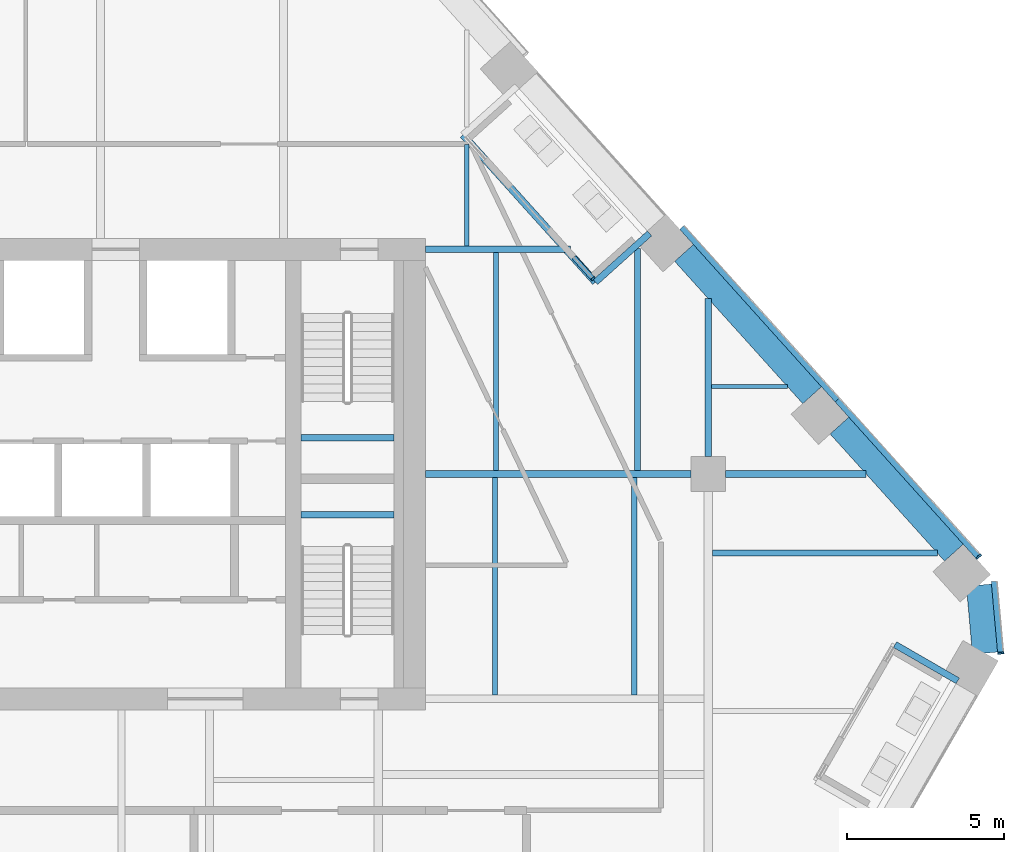
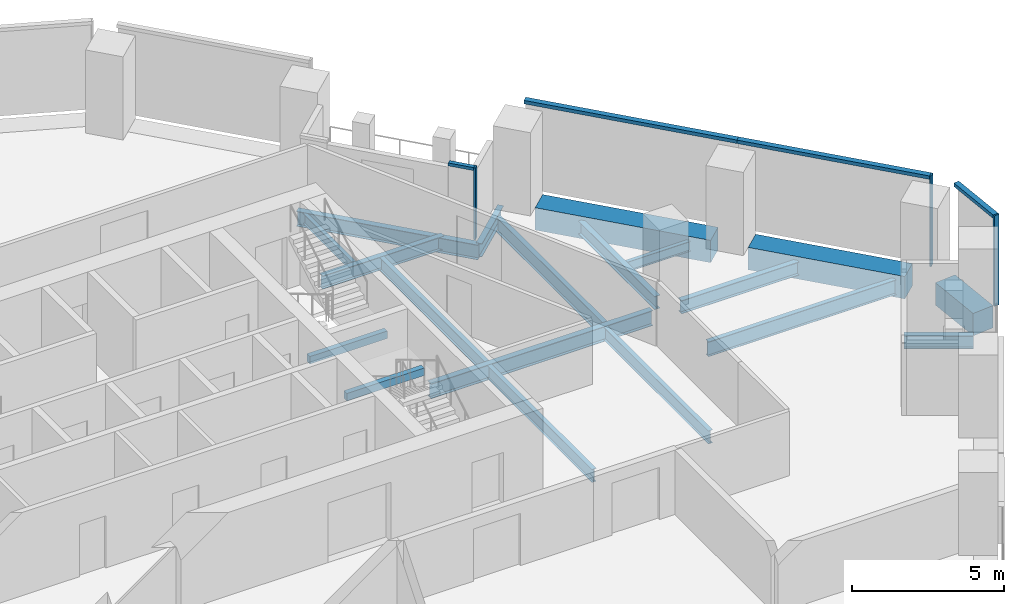
# One storey, part 10 of 26: 19 beams, 7 members, 3 elements without a shape of their own.
"""IFC4 building model written with IfcOpenShell, lengths in metres."""

from ifc_helpers import new_model, si_unit, direction, frame, origin, origin_2d, place, context, subcontext, project, spatial, rectangle, i_section, extrude, material, layer, layer_set, material_profile, profile_set, type_object, element, aggregate, save


model = new_model("IFC4")

# Units and contexts
model_context = context("Model", 3, precision=1e-05, world=origin(), true_north=direction((0.0, 1.0)))
body_context = subcontext(model_context, "Body", "Model", "MODEL_VIEW")
ifc_project = project(units=[si_unit("LENGTHUNIT", "METRE"), si_unit("AREAUNIT", "SQUARE_METRE"), si_unit("VOLUMEUNIT", "CUBIC_METRE"), si_unit("PLANEANGLEUNIT", "RADIAN"), si_unit("MASSUNIT", "GRAM", prefix="KILO")], contexts=[model_context])

# Site, building, storey
site_placement = place(None, origin())
site = spatial("IfcSite", under=ifc_project, at=site_placement, CompositionType="ELEMENT")
building_placement = place(site_placement, origin())
building = spatial("IfcBuilding", under=site, at=building_placement, Name="Isthmus Gate Tower", CompositionType="ELEMENT")
storey_placement = place(building_placement, frame((0.0, 0.0, 203.64990234375)))
storey = spatial("IfcBuildingStorey", under=building, at=storey_placement, Name="L51", CompositionType="ELEMENT", Elevation=203.64990234375)

# Curtain wall, member
ifc_material_1 = material(Name="Aluminium, pale champagne anodised", Category="aluminium")
ifc_layer_1 = layer(ifc_material_1, 0.199951171875)
ifc_layer_set_1 = layer_set([ifc_layer_1], Name="CW-1 UNITISED CURTAIN WALL 200 DEEP")
curtain_wall_type_1 = type_object("IfcCurtainWallType", Name="CW-1 UNITISED CURTAIN WALL 200 DEEP", PredefinedType="NOTDEFINED", material=ifc_layer_set_1)
curtain_wall_1_placement = place(storey_placement, origin())
curtain_wall_1 = element("IfcCurtainWall", 1, at=curtain_wall_1_placement, inside=storey, type_object=curtain_wall_type_1, Name="CW-1 SE-NE L51", PredefinedType="NOTDEFINED")
ifc_material_2 = material(Name="Aluminium, pale champagne anodised", Category="aluminium")
ifc_material_profile_1 = material_profile(ifc_material_2, rectangle(XDim=0.06005859375, YDim=0.199951171875, at=origin_2d()), Name="60x200")
ifc_profile_set_1 = profile_set([ifc_material_profile_1], Name="Aluminium, pale champagne anodised")
member_type_1 = type_object("IfcMemberType", Name="CW-1 MULLION 60 X 200", PredefinedType="MULLION", material=ifc_profile_set_1)
member_1_placement = place(storey_placement, frame((33.307861328125, 1.804443359375, 0.0), z_axis=(0.0, 0.0, 1.0), x_axis=(-0.089396669717, 0.995996102123, 0.0)))
member_1 = element("IfcMember", 2, at=member_1_placement, type_object=member_type_1, Name="CW-1 mullion", PredefinedType="MULLION", context=body_context, shape_type="SweptSolid", body=[
    extrude(rectangle(XDim=0.06005859375, YDim=0.199951171875, at=origin_2d()), origin(), (0.0, 0.0, 1.0), 3.650146484375),
])

curtain_wall_2_placement = place(storey_placement, origin())
curtain_wall_2 = element("IfcCurtainWall", 3, at=curtain_wall_2_placement, inside=storey, type_object=curtain_wall_type_1, Name="CW-1 NE L51", PredefinedType="NOTDEFINED")
member_2_placement = place(storey_placement, frame((32.602783203125, 4.871337890625, 0.0), z_axis=(0.0, 0.0, 1.0), x_axis=(-0.669130606359, 0.743144825477, 0.0)))
member_2 = element("IfcMember", 4, at=member_2_placement, type_object=member_type_1, Name="CW-1 mullion", PredefinedType="MULLION", context=body_context, shape_type="SweptSolid", body=[
    extrude(rectangle(XDim=0.06005859375, YDim=0.199951171875, at=origin_2d()), origin(), (0.0, 0.0, 1.0), 3.650146484375),
])

# Member
ifc_material_3 = material(Name="Aluminium, pale champagne anodised", Category="aluminium")
ifc_material_profile_2 = material_profile(ifc_material_3, rectangle(XDim=0.199951171875, YDim=0.139892578125, at=origin_2d()), Name="200x140")
ifc_profile_set_2 = profile_set([ifc_material_profile_2], Name="Aluminium, pale champagne anodised")
member_type_2 = type_object("IfcMemberType", Name="CW-1 TRANSOM 200 X 140", PredefinedType="USERDEFINED", material=ifc_profile_set_2)
member_3_placement = place(storey_placement, frame((33.30517578125, 1.83447265625, 3.580078125), z_axis=(-0.089395362867, 0.995996219419, 0.0), x_axis=(-0.995996219419, -0.089395362867, 0.0)))
member_3 = element("IfcMember", 5, at=member_3_placement, type_object=member_type_2, Name="CW-1 transom", ObjectType="TRANSOM", PredefinedType="USERDEFINED", context=body_context, shape_type="SweptSolid", body=[
    extrude(rectangle(XDim=0.199951171875, YDim=0.139892578125, at=origin_2d()), origin(), (0.0, 0.0, 1.0), 2.258544921875),
])

aggregate(curtain_wall_1, [member_1, member_3])

member_4_placement = place(storey_placement, frame((32.582763671875, 4.8935546875, 3.580078125), z_axis=(-0.669138342957, 0.74313785934, 0.0), x_axis=(-0.74313785934, -0.669138342957, 0.0)))
member_4 = element("IfcMember", 6, at=member_4_placement, type_object=member_type_2, Name="CW-1 transom", ObjectType="TRANSOM", PredefinedType="USERDEFINED", context=body_context, shape_type="SweptSolid", body=[
    extrude(rectangle(XDim=0.199951171875, YDim=0.139892578125, at=origin_2d()), origin(), (0.0, 0.0, 1.0), 6.680908203125),
])

member_5_placement = place(storey_placement, frame((28.1123046875, 9.8583984375, 3.580078125), z_axis=(-0.669123495435, 0.74315122812, 0.0), x_axis=(-0.74315122812, -0.669123495435, 0.0)))
member_5 = element("IfcMember", 7, at=member_5_placement, type_object=member_type_2, Name="CW-1 transom", ObjectType="TRANSOM", PredefinedType="USERDEFINED", context=body_context, shape_type="SweptSolid", body=[
    extrude(rectangle(XDim=0.199951171875, YDim=0.139892578125, at=origin_2d()), origin(), (0.0, 0.0, 1.0), 7.390625),
])

aggregate(curtain_wall_2, [member_2, member_4, member_5])

# Curtain wall, members
ifc_material_4 = material(Name="Aluminium, pale champagne anodised", Category="aluminium")
ifc_layer_2 = layer(ifc_material_4, 0.14990234375)
ifc_layer_set_2 = layer_set([ifc_layer_2], Name="CW-6 LOGGIA BACK WALL GLAZING 150 DEEP")
curtain_wall_type_2 = type_object("IfcCurtainWallType", Name="CW-6 LOGGIA BACK WALL GLAZING 150 DEEP", PredefinedType="NOTDEFINED", material=ifc_layer_set_2)
curtain_wall_3_placement = place(storey_placement, origin())
curtain_wall_3 = element("IfcCurtainWall", 8, at=curtain_wall_3_placement, inside=storey, type_object=curtain_wall_type_2, Name="CW-6 NE L51", PredefinedType="NOTDEFINED")
ifc_material_5 = material(Name="Aluminium, pale champagne anodised", Category="aluminium")
ifc_material_profile_3 = material_profile(ifc_material_5, rectangle(XDim=0.06005859375, YDim=0.14990234375, at=origin_2d()), Name="60x150")
ifc_profile_set_3 = profile_set([ifc_material_profile_3], Name="Aluminium, pale champagne anodised")
member_type_3 = type_object("IfcMemberType", Name="CW-6 MULLION 60 X 150", PredefinedType="MULLION", material=ifc_profile_set_3)
member_6_placement = place(storey_placement, frame((20.333984375, 13.715087890625, 0.0), z_axis=(0.0, 0.0, 1.0), x_axis=(-0.669130606359, 0.743144825477, 0.0)))
member_6 = element("IfcMember", 9, at=member_6_placement, type_object=member_type_3, Name="CW-6 mullion", PredefinedType="MULLION", context=body_context, shape_type="SweptSolid", body=[
    extrude(rectangle(XDim=0.06005859375, YDim=0.14990234375, at=origin_2d()), origin(), (0.0, 0.0, 1.0), 2.900146484375),
])
ifc_material_6 = material(Name="Aluminium, pale champagne anodised", Category="aluminium")
ifc_material_profile_4 = material_profile(ifc_material_6, rectangle(XDim=0.14990234375, YDim=0.1201171875, at=origin_2d()), Name="150x120")
ifc_profile_set_4 = profile_set([ifc_material_profile_4], Name="Aluminium, pale champagne anodised")
member_type_4 = type_object("IfcMemberType", Name="CW-6 TRANSOM 150 X 120", PredefinedType="USERDEFINED", material=ifc_profile_set_4)
member_7_placement = place(storey_placement, frame((20.313720703125, 13.7373046875, 2.840087890625), z_axis=(-0.669040910273, 0.743225578395, 0.0), x_axis=(-0.743225578395, -0.669040910273, 0.0)))
member_7 = element("IfcMember", 10, at=member_7_placement, type_object=member_type_4, Name="CW-6 transom", ObjectType="TRANSOM", PredefinedType="USERDEFINED", context=body_context, shape_type="SweptSolid", body=[
    extrude(rectangle(XDim=0.14990234375, YDim=0.1201171875, at=origin_2d()), origin(), (0.0, 0.0, 1.0), 0.88525390625),
])
aggregate(curtain_wall_3, [member_6, member_7])

# Beams
ifc_material_7 = material(Name="Concrete f'c 60 MPa", Category="concrete")
ifc_material_profile_5 = material_profile(ifc_material_7, rectangle(XDim=0.800048828125, YDim=0.89990234375, at=origin_2d()), Name="RC 800X900")
ifc_profile_set_5 = profile_set([ifc_material_profile_5], Name="Concrete f'c 60 MPa")
beam_type_1 = type_object("IfcBeamType", Name="RC SPANDREL 800 X 900", PredefinedType="SPANDREL", material=ifc_profile_set_5)
beam_1_placement = place(storey_placement, frame((23.230224609375, 14.533203125, -0.449951171875), z_axis=(0.669141874065, -0.743134679835, 0.0), x_axis=(0.743134679835, 0.669141874065, 0.0)))
element("IfcBeam", 11, at=beam_1_placement, inside=storey, type_object=beam_type_1, Name="str-spandrel-L51-03", PredefinedType="SPANDREL", context=body_context, shape_type="SweptSolid", body=[
    extrude(rectangle(XDim=0.800048828125, YDim=0.89990234375, at=origin_2d()), origin(), (0.0, 0.0, 1.0), 6.0908203125),
])
beam_2_placement = place(storey_placement, frame((28.17578125, 9.040771484375, -0.449951171875), z_axis=(0.669140732593, -0.74313570765, 0.0), x_axis=(0.74313570765, 0.669140732593, 0.0)))
element("IfcBeam", 12, at=beam_2_placement, inside=storey, type_object=beam_type_1, Name="str-spandrel-L51-04", PredefinedType="SPANDREL", context=body_context, shape_type="SweptSolid", body=[
    extrude(rectangle(XDim=0.800048828125, YDim=0.89990234375, at=origin_2d()), origin(), (0.0, 0.0, 1.0), 5.440673828125),
])
beam_3_placement = place(storey_placement, frame((32.61181640625, 3.964599609375, -0.449951171875), z_axis=(0.089421511639, -0.995993872098, 0.0), x_axis=(0.995993872098, 0.089421511639, 0.0)))
element("IfcBeam", 13, at=beam_3_placement, inside=storey, type_object=beam_type_1, Name="str-spandrel-L51-05", PredefinedType="SPANDREL", context=body_context, shape_type="SweptSolid", body=[
    extrude(rectangle(XDim=0.800048828125, YDim=0.89990234375, at=origin_2d()), origin(), (0.0, 0.0, 1.0), 2.17333984375),
])
ifc_material_8 = material(Name="Concrete f'c 40 MPa", Category="concrete")
ifc_material_profile_6 = material_profile(ifc_material_8, rectangle(XDim=0.199951171875, YDim=0.300048828125, at=origin_2d()), Name="STAIR LANDING BEAM RC 200 X 300")
ifc_profile_set_6 = profile_set([ifc_material_profile_6], Name="Concrete f'c 40 MPa")
beam_type_2 = type_object("IfcBeamType", Name="STAIR LANDING BEAM RC 200 X 300", PredefinedType="BEAM", material=ifc_profile_set_6)
for number, where, z_axis, x_axis, name in (
    (14, (11.050048828125, 8.64990234375, 1.47509765625), (1.0, 0.0, 0.0), (0.0, 1.0, 0.0), "L51 ST2 landing beam 1"),
    (15, (11.050048828125, 6.199951171875, 1.47509765625), (1.0, 0.0, 0.0), (0.0, 1.0, 0.0), "L51 ST8 landing beam 1"),
):
    element("IfcBeam", number, at=place(storey_placement, frame(where, z_axis=z_axis, x_axis=x_axis)), inside=storey, type_object=beam_type_2, Name=name, PredefinedType="BEAM", context=body_context, shape_type="SweptSolid", body=[
        extrude(rectangle(XDim=0.199951171875, YDim=0.300048828125, at=origin_2d()), origin(), (0.0, 0.0, 1.0), 2.949951171875),
    ])
ifc_material_9 = material(Name="Structural steel ASTM A992 Gr 50", Category="steel")
ifc_material_profile_7 = material_profile(ifc_material_9, i_section(OverallWidth=0.1396484375, OverallDepth=0.4033203125, WebThickness=0.00634765625, FlangeThickness=0.010986328125, at=origin_2d()), Name="W16X31")
ifc_profile_set_7 = profile_set([ifc_material_profile_7], Name="Structural steel ASTM A992 Gr 50")
beam_type_3 = type_object("IfcBeamType", Name="STEEL FLOOR BEAM W16X31", PredefinedType="JOIST", material=ifc_profile_set_7)
beam_4_placement = place(storey_placement, frame((16.31298828125, 14.754638671875, -0.3515625), z_axis=(0.0, 1.0, 0.0), x_axis=(-1.0, 0.0, 0.0)))
element("IfcBeam", 16, at=beam_4_placement, inside=storey, type_object=beam_type_3, Name="str-beam-L51-08-06", PredefinedType="JOIST", context=body_context, shape_type="SweptSolid", body=[
    extrude(i_section(OverallWidth=0.1396484375, OverallDepth=0.4033203125, WebThickness=0.00634765625, FlangeThickness=0.010986328125, at=origin_2d()), origin(), (0.0, 0.0, 1.0), 3.233642578125),
])
beam_5_placement = place(storey_placement, frame((24.104736328125, 10.284423828125, -0.3515625), z_axis=(1.0, 0.0, 0.0), x_axis=(0.0, 1.0, 0.0)))
element("IfcBeam", 17, at=beam_5_placement, inside=storey, type_object=beam_type_3, Name="str-beam-L51-21-00", PredefinedType="JOIST", context=body_context, shape_type="SweptSolid", body=[
    extrude(i_section(OverallWidth=0.1396484375, OverallDepth=0.4033203125, WebThickness=0.00634765625, FlangeThickness=0.010986328125, at=origin_2d()), origin(), (0.0, 0.0, 1.0), 2.412841796875),
])
ifc_material_10 = material(Name="Structural steel ASTM A992 Gr 50", Category="steel")
ifc_material_profile_8 = material_profile(ifc_material_10, i_section(OverallWidth=0.1650390625, OverallDepth=0.52392578125, WebThickness=0.009521484375, FlangeThickness=0.010986328125, at=origin_2d()), Name="W21X44")
ifc_profile_set_8 = profile_set([ifc_material_profile_8], Name="Structural steel ASTM A992 Gr 50")
beam_type_4 = type_object("IfcBeamType", Name="STEEL FLOOR BEAM W21X44", PredefinedType="JOIST", material=ifc_profile_set_8)
beam_6_placement = place(storey_placement, frame((17.25, 7.6142578125, -0.411865234375), z_axis=(0.0, 1.0, 0.0), x_axis=(-1.0, 0.0, 0.0)))
element("IfcBeam", 18, at=beam_6_placement, inside=storey, type_object=beam_type_4, Name="str-beam-L51-17-00", PredefinedType="JOIST", context=body_context, shape_type="SweptSolid", body=[
    extrude(i_section(OverallWidth=0.1650390625, OverallDepth=0.52392578125, WebThickness=0.009521484375, FlangeThickness=0.010986328125, at=origin_2d()), origin(), (0.0, 0.0, 1.0), 6.930908203125),
])
for number, where, z_axis, x_axis, name in (
    (19, (17.216552734375, 0.46435546875, -0.411865234375), (0.0, 1.0, 0.0), (-1.0, 0.0, 0.0), "str-beam-L51-18-00"),
    (20, (21.64990234375, 0.46435546875, -0.411865234375), (0.0, 1.0, 0.0), (-1.0, 0.0, 0.0), "str-beam-L51-18-01"),
):
    element("IfcBeam", number, at=place(storey_placement, frame(where, z_axis=z_axis, x_axis=x_axis)), inside=storey, type_object=beam_type_4, Name=name, PredefinedType="JOIST", context=body_context, shape_type="SweptSolid", body=[
        extrude(i_section(OverallWidth=0.1650390625, OverallDepth=0.52392578125, WebThickness=0.009521484375, FlangeThickness=0.010986328125, at=origin_2d()), origin(), (0.0, 0.0, 1.0), 6.92138671875),
    ])
ifc_material_11 = material(Name="Structural steel ASTM A992 Gr 50", Category="steel")
ifc_material_profile_9 = material_profile(ifc_material_11, i_section(OverallWidth=0.177734375, OverallDepth=0.60009765625, WebThickness=0.009521484375, FlangeThickness=0.0126953125, at=origin_2d()), Name="W24X55")
ifc_profile_set_9 = profile_set([ifc_material_profile_9], Name="Structural steel ASTM A992 Gr 50")
beam_type_5 = type_object("IfcBeamType", Name="STEEL FLOOR BEAM W24X55", PredefinedType="JOIST", material=ifc_profile_set_9)
beam_7_placement = place(storey_placement, frame((21.75, 7.6142578125, -0.449951171875), z_axis=(0.0, 1.0, 0.0), x_axis=(-1.0, 0.0, 0.0)))
element("IfcBeam", 21, at=beam_7_placement, inside=storey, type_object=beam_type_5, Name="str-beam-L51-17-01", PredefinedType="JOIST", context=body_context, shape_type="SweptSolid", body=[
    extrude(i_section(OverallWidth=0.177734375, OverallDepth=0.60009765625, WebThickness=0.009521484375, FlangeThickness=0.0126953125, at=origin_2d()), origin(), (0.0, 0.0, 1.0), 7.053466796875),
])
beam_8_placement = place(storey_placement, frame((24.13330078125, 4.987548828125, -0.449951171875), z_axis=(1.0, 0.0, 0.0), x_axis=(0.0, 1.0, 0.0)))
element("IfcBeam", 22, at=beam_8_placement, inside=storey, type_object=beam_type_5, Name="str-beam-L51-22-02", PredefinedType="JOIST", context=body_context, shape_type="SweptSolid", body=[
    extrude(i_section(OverallWidth=0.177734375, OverallDepth=0.60009765625, WebThickness=0.009521484375, FlangeThickness=0.0126953125, at=origin_2d()), origin(), (0.0, 0.0, 1.0), 7.15380859375),
])
ifc_material_12 = material(Name="Structural steel ASTM A992 Gr 50", Category="steel")
ifc_material_profile_10 = material_profile(ifc_material_12, i_section(OverallWidth=0.20947265625, OverallDepth=0.533447265625, WebThickness=0.009521484375, FlangeThickness=0.015869140625, at=origin_2d()), Name="W21X62")
ifc_profile_set_10 = profile_set([ifc_material_profile_10], Name="Structural steel ASTM A992 Gr 50")
beam_type_6 = type_object("IfcBeamType", Name="STEEL GIRDER W21X62", PredefinedType="BEAM", material=ifc_profile_set_10)
beam_9_placement = place(storey_placement, frame((24.550048828125, 7.5, -0.41650390625), z_axis=(1.0, 0.0, 0.0), x_axis=(0.0, 1.0, 0.0)))
element("IfcBeam", 23, at=beam_9_placement, inside=storey, type_object=beam_type_6, Name="str-girder-L51-06", PredefinedType="BEAM", context=body_context, shape_type="SweptSolid", body=[
    extrude(i_section(OverallWidth=0.20947265625, OverallDepth=0.533447265625, WebThickness=0.009521484375, FlangeThickness=0.015869140625, at=origin_2d()), origin(), (0.0, 0.0, 1.0), 4.474853515625),
])
beam_10_placement = place(storey_placement, frame((24.0, 8.050048828125, -0.41650390625), z_axis=(0.0, 1.0, 0.0), x_axis=(-1.0, 0.0, 0.0)))
element("IfcBeam", 24, at=beam_10_placement, inside=storey, type_object=beam_type_6, Name="str-girder-L51-12", PredefinedType="BEAM", context=body_context, shape_type="SweptSolid", body=[
    extrude(i_section(OverallWidth=0.20947265625, OverallDepth=0.533447265625, WebThickness=0.009521484375, FlangeThickness=0.015869140625, at=origin_2d()), origin(), (0.0, 0.0, 1.0), 5.030517578125),
])
beam_11_placement = place(storey_placement, frame((15.0, 14.64990234375, -0.41650390625), z_axis=(1.0, 0.0, 0.0), x_axis=(0.0, 1.0, 0.0)))
element("IfcBeam", 25, at=beam_11_placement, inside=storey, type_object=beam_type_6, Name="str-girder-L51-16", PredefinedType="BEAM", context=body_context, shape_type="SweptSolid", body=[
    extrude(i_section(OverallWidth=0.20947265625, OverallDepth=0.533447265625, WebThickness=0.009521484375, FlangeThickness=0.015869140625, at=origin_2d()), origin(), (0.0, 0.0, 1.0), 4.62646484375),
])
ifc_material_13 = material(Name="Structural steel ASTM A992 Gr 50", Category="steel")
ifc_material_profile_11 = material_profile(ifc_material_13, i_section(OverallWidth=0.228515625, OverallDepth=0.6064453125, WebThickness=0.010986328125, FlangeThickness=0.017578125, at=origin_2d()), Name="W24X76")
ifc_profile_set_11 = profile_set([ifc_material_profile_11], Name="Structural steel ASTM A992 Gr 50")
beam_type_7 = type_object("IfcBeamType", Name="STEEL GIRDER W24X76", PredefinedType="BEAM", material=ifc_profile_set_11)
beam_12_placement = place(storey_placement, frame((15.0, 7.5, -0.453125), z_axis=(1.0, 0.0, 0.0), x_axis=(0.0, 1.0, 0.0)))
element("IfcBeam", 26, at=beam_12_placement, inside=storey, type_object=beam_type_7, Name="str-girder-L51-05", PredefinedType="BEAM", context=body_context, shape_type="SweptSolid", body=[
    extrude(i_section(OverallWidth=0.228515625, OverallDepth=0.6064453125, WebThickness=0.010986328125, FlangeThickness=0.017578125, at=origin_2d()), origin(), (0.0, 0.0, 1.0), 8.449951171875),
])
ifc_material_14 = material(Name="Structural steel ASTM A992 Gr 50", Category="steel")
ifc_material_profile_12 = material_profile(ifc_material_14, i_section(OverallWidth=0.20947265625, OverallDepth=0.533447265625, WebThickness=0.009521484375, FlangeThickness=0.015869140625, at=origin_2d()), Name="W21X62")
ifc_profile_set_12 = profile_set([ifc_material_profile_12], Name="Structural steel ASTM A992 Gr 50")
beam_type_8 = type_object("IfcBeamType", Name="STEEL TRIMMER W21X62", PredefinedType="BEAM", material=ifc_profile_set_12)
beam_13_placement = place(storey_placement, frame((31.939208984375, 0.92041015625, -0.41650390625), z_axis=(-0.866017993231, 0.500012835235, 0.0), x_axis=(-0.500012835235, -0.866017993231, 0.0)))
element("IfcBeam", 27, at=beam_13_placement, inside=storey, type_object=beam_type_8, Name="str-loggiatrim-L51-04-C", PredefinedType="BEAM", context=body_context, shape_type="SweptSolid", body=[
    extrude(i_section(OverallWidth=0.20947265625, OverallDepth=0.533447265625, WebThickness=0.009521484375, FlangeThickness=0.015869140625, at=origin_2d()), origin(), (0.0, 0.0, 1.0), 2.3046875),
])
beam_14_placement = place(storey_placement, frame((22.13330078125, 15.15380859375, -0.41650390625), z_axis=(-0.743163000468, -0.669110420436, 0.0), x_axis=(0.669110420436, -0.743163000468, 0.0)))
element("IfcBeam", 28, at=beam_14_placement, inside=storey, type_object=beam_type_8, Name="str-loggiatrim-L51-05-A", PredefinedType="BEAM", context=body_context, shape_type="SweptSolid", body=[
    extrude(i_section(OverallWidth=0.20947265625, OverallDepth=0.533447265625, WebThickness=0.009521484375, FlangeThickness=0.015869140625, at=origin_2d()), origin(), (0.0, 0.0, 1.0), 2.314453125),
])
ifc_material_15 = material(Name="Structural steel ASTM A992 Gr 50", Category="steel")
ifc_material_profile_13 = material_profile(ifc_material_15, i_section(OverallWidth=0.228515625, OverallDepth=0.603271484375, WebThickness=0.010986328125, FlangeThickness=0.014404296875, at=origin_2d()), Name="W24X68")
ifc_profile_set_13 = profile_set([ifc_material_profile_13], Name="Structural steel ASTM A992 Gr 50")
beam_type_9 = type_object("IfcBeamType", Name="STEEL TRIMMER W24X68", PredefinedType="BEAM", material=ifc_profile_set_13)
beam_15_placement = place(storey_placement, frame((20.413330078125, 13.605224609375, -0.451416015625), z_axis=(-0.669110301959, 0.743163107139, 0.0), x_axis=(-0.743163107139, -0.669110301959, 0.0)))
element("IfcBeam", 29, at=beam_15_placement, inside=storey, type_object=beam_type_9, Name="str-loggiatrim-L51-05-B", PredefinedType="BEAM", context=body_context, shape_type="SweptSolid", body=[
    extrude(i_section(OverallWidth=0.228515625, OverallDepth=0.603271484375, WebThickness=0.010986328125, FlangeThickness=0.014404296875, at=origin_2d()), origin(), (0.0, 0.0, 1.0), 6.30029296875),
])

save(model, "model.ifc")
